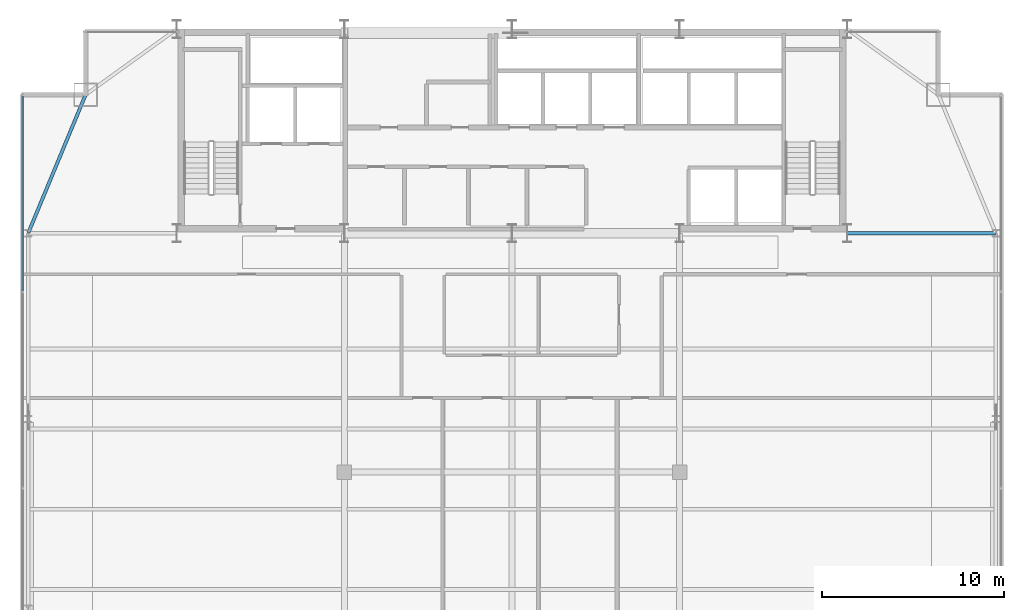
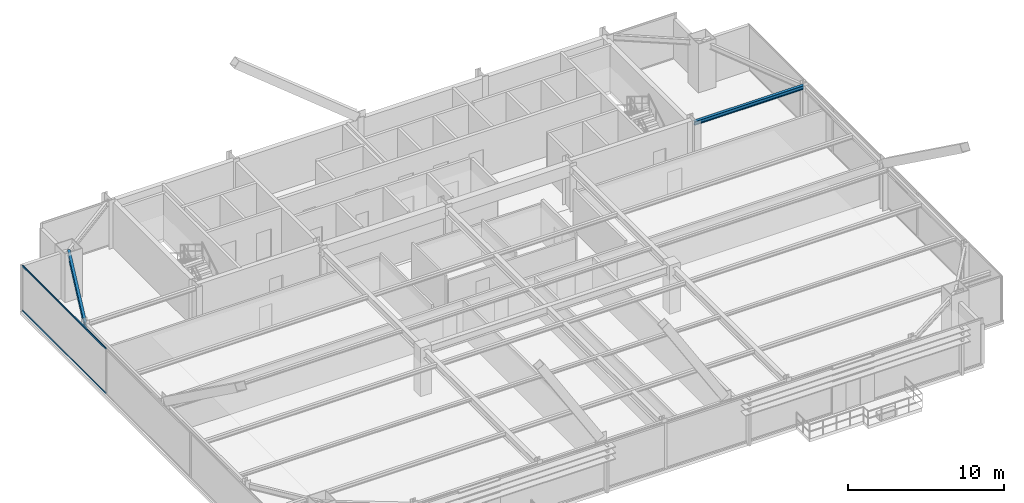
# One storey, part 19 of 32: 2 beams, 2 members, 1 element without a shape of its own.
"""IFC4 building model written with IfcOpenShell, lengths in metres."""

from ifc_helpers import new_model, si_unit, direction, frame, origin, origin_2d, place, context, subcontext, project, spatial, hollow_rectangle, i_section, extrude, source, transform, mapped, material, layer, layer_set, material_profile, profile_set, type_object, type_shapes, element, aggregate, save


model = new_model("IFC4")

# Units and contexts
model_context = context("Model", 3, precision=1e-05, world=origin(), true_north=direction((0.0, 1.0)))
body_context = subcontext(model_context, "Body", "Model", "MODEL_VIEW")
ifc_project = project(units=[si_unit("LENGTHUNIT", "METRE"), si_unit("AREAUNIT", "SQUARE_METRE"), si_unit("VOLUMEUNIT", "CUBIC_METRE"), si_unit("PLANEANGLEUNIT", "RADIAN"), si_unit("MASSUNIT", "GRAM", prefix="KILO")], contexts=[model_context])

# Site, building, storey
site_placement = place(None, origin())
site = spatial("IfcSite", under=ifc_project, at=site_placement, CompositionType="ELEMENT")
building_placement = place(site_placement, origin())
building = spatial("IfcBuilding", under=site, at=building_placement, Name="Varnel Quay Broadcast Tower", CompositionType="ELEMENT")
storey_placement = place(building_placement, frame((0.0, 0.0, 164.800048828125)))
storey = spatial("IfcBuildingStorey", under=building, at=storey_placement, Name="L40", CompositionType="ELEMENT", Elevation=164.800048828125)

# Beams
ifc_material_1 = material(Name="Structural Steel CSA G40.21 350W", Category="steel")
ifc_material_profile_1 = material_profile(ifc_material_1, i_section(OverallWidth=0.180908203125, OverallDepth=0.4169921875, WebThickness=0.010986328125, FlangeThickness=0.018310546875, FilletRadius=0.011962890625, at=origin_2d()), Name="W410X85")
ifc_profile_set_1 = profile_set([ifc_material_profile_1], Name="Structural Steel CSA G40.21 350W")
beam_type_1 = type_object("IfcBeamType", Name="Beam_W410X85", PredefinedType="SPANDREL", material=ifc_profile_set_1)
shared_shape_1 = source(origin(), body_context, "Body", "SweptSolid", [
    extrude(i_section(OverallWidth=0.180908203125, OverallDepth=0.4169921875, WebThickness=0.010986328125, FlangeThickness=0.018310546875, FilletRadius=0.011962890625, at=origin_2d()), origin(), (0.0, 0.0, 1.0), 8.186767578125),
])
type_shapes(beam_type_1, [shared_shape_1])
beam_1_placement = place(storey_placement, frame((7.457763671875, 35.618408203125, 3.341552734375), z_axis=(0.382874132092, 0.923800519038, 0.0), x_axis=(-0.923800519038, 0.382874132092, 0.0)))
element("IfcBeam", 1, at=beam_1_placement, inside=storey, type_object=beam_type_1, Name="L40 West Spandrel TC-W3-MC-NW", PredefinedType="SPANDREL", context=body_context, shape_type="MappedRepresentation", body=[
    mapped(shared_shape_1, transform((0.0, 0.0, 0.0), x_axis=(1.0, 0.0, 0.0), y_axis=(0.0, 1.0, 0.0), z_axis=(0.0, 0.0, 1.0), scale=1.0)),
])
ifc_material_profile_2 = material_profile(ifc_material_1, i_section(OverallWidth=0.202880859375, OverallDepth=0.302978515625, WebThickness=0.007568359375, FlangeThickness=0.01318359375, FilletRadius=0.011962890625, at=origin_2d()), Name="W310X60")
ifc_profile_set_2 = profile_set([ifc_material_profile_2], Name="Structural Steel CSA G40.21 350W")
beam_type_2 = type_object("IfcBeamType", Name="Beam_W310X60", PredefinedType="JOIST", material=ifc_profile_set_2)
shared_shape_2 = source(origin(), body_context, "Body", "SweptSolid", [
    extrude(i_section(OverallWidth=0.202880859375, OverallDepth=0.302978515625, WebThickness=0.007568359375, FlangeThickness=0.01318359375, FilletRadius=0.011962890625, at=origin_2d()), origin(), (0.0, 0.0, 1.0), 8.110107421875),
])
type_shapes(beam_type_2, [shared_shape_2])
beam_2_placement = place(storey_placement, frame((52.419921875, 35.60009765625, 3.3984375), z_axis=(1.0, 0.0, 0.0), x_axis=(0.0, 1.0, 0.0)))
element("IfcBeam", 2, at=beam_2_placement, inside=storey, type_object=beam_type_2, Name="L40 East Core Tie Joist", PredefinedType="JOIST", context=body_context, shape_type="MappedRepresentation", body=[
    mapped(shared_shape_2, transform((0.0, 0.0, 0.0), x_axis=(1.0, 0.0, 0.0), y_axis=(0.0, 1.0, 0.0), z_axis=(0.0, 0.0, 1.0), scale=1.0)),
])

# Curtain wall, members
ifc_material_2 = material(Name="Anodised Bronze Aluminium 6063-T6", Category="aluminium")
ifc_layer = layer(ifc_material_2, 0.18994140625, Name="Anodised Bronze Aluminium 6063-T6")
ifc_layer_set = layer_set([ifc_layer], Name="Anodised Bronze Aluminium 6063-T6")
curtain_wall_type = type_object("IfcCurtainWallType", Name="CW_UpperTower", PredefinedType="NOTDEFINED", material=ifc_layer_set)
curtain_wall_placement = place(storey_placement, origin())
curtain_wall = element("IfcCurtainWall", 3, at=curtain_wall_placement, inside=storey, type_object=curtain_wall_type, Name="L40 West Unitised Curtain Wall", PredefinedType="NOTDEFINED")
ifc_material_profile_3 = material_profile(ifc_material_2, hollow_rectangle(XDim=0.06005859375, YDim=0.125, WallThickness=0.0029296875, at=origin_2d()), Name="ALU60X125X3")
ifc_profile_set_3 = profile_set([ifc_material_profile_3], Name="Anodised Bronze Aluminium 6063-T6")
member_type = type_object("IfcMemberType", Name="Tran_CWS-03", PredefinedType="USERDEFINED", material=ifc_profile_set_3)
shared_shape_3 = source(origin(), body_context, "Body", "SweptSolid", [
    extrude(hollow_rectangle(XDim=0.06005859375, YDim=0.125, WallThickness=0.0029296875, at=origin_2d()), origin(), (0.0, 0.0, 1.0), 10.702392578125),
])
type_shapes(member_type, [shared_shape_3])
member_1_placement = place(storey_placement, frame((7.14990234375, 32.4326171875, 0.030029296875), z_axis=(0.0, 1.0, 0.0), x_axis=(-1.0, 0.0, 0.0)))
member_1 = element("IfcMember", 4, at=member_1_placement, type_object=member_type, Name="CWS-03 transom 3.1", ObjectType="TRANSOM", PredefinedType="USERDEFINED", context=body_context, shape_type="MappedRepresentation", body=[
    mapped(shared_shape_3, transform((0.0, 0.0, 0.0), x_axis=(1.0, 0.0, 0.0), y_axis=(0.0, 1.0, 0.0), z_axis=(0.0, 0.0, 1.0), scale=1.0)),
])
member_2_placement = place(storey_placement, frame((7.14990234375, 32.4326171875, 3.52001953125), z_axis=(0.0, 1.0, 0.0), x_axis=(-1.0, 0.0, 0.0)))
member_2 = element("IfcMember", 5, at=member_2_placement, type_object=member_type, Name="CWS-03 transom 3.2", ObjectType="TRANSOM", PredefinedType="USERDEFINED", context=body_context, shape_type="MappedRepresentation", body=[
    mapped(shared_shape_3, transform((0.0, 0.0, 0.0), x_axis=(1.0, 0.0, 0.0), y_axis=(0.0, 1.0, 0.0), z_axis=(0.0, 0.0, 1.0), scale=1.0)),
])
aggregate(curtain_wall, [member_1, member_2])

save(model, "model.ifc")
